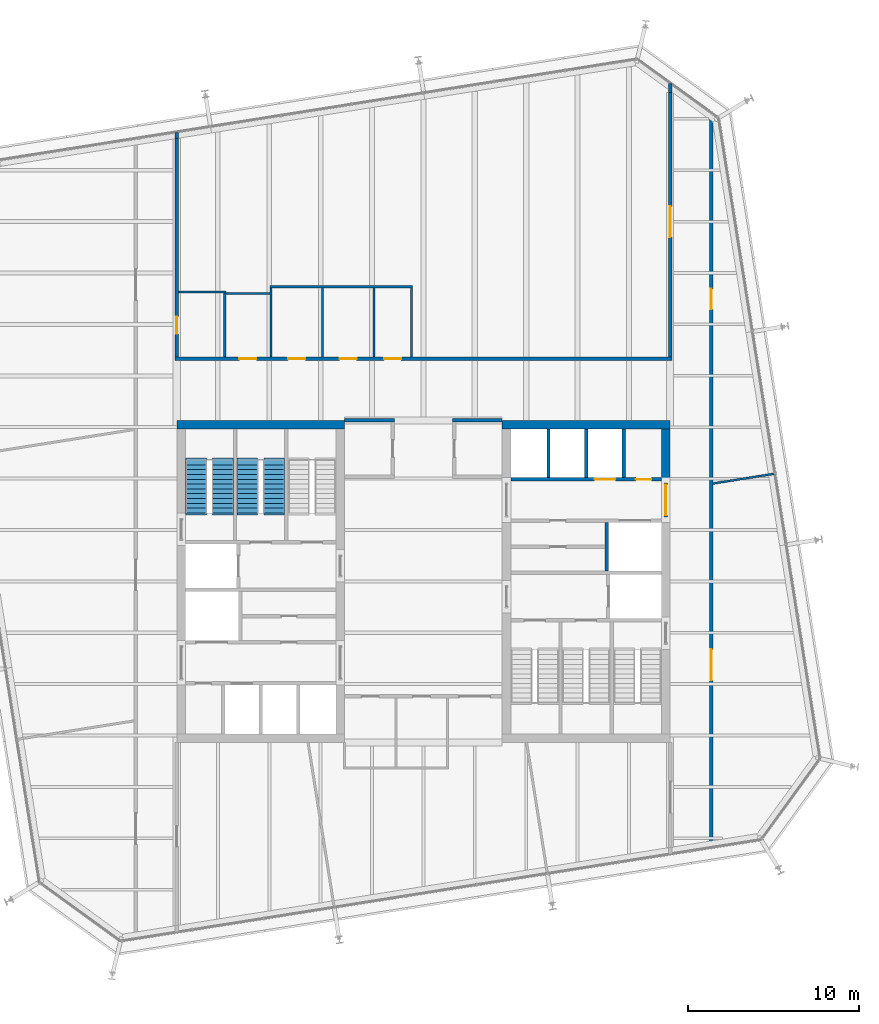
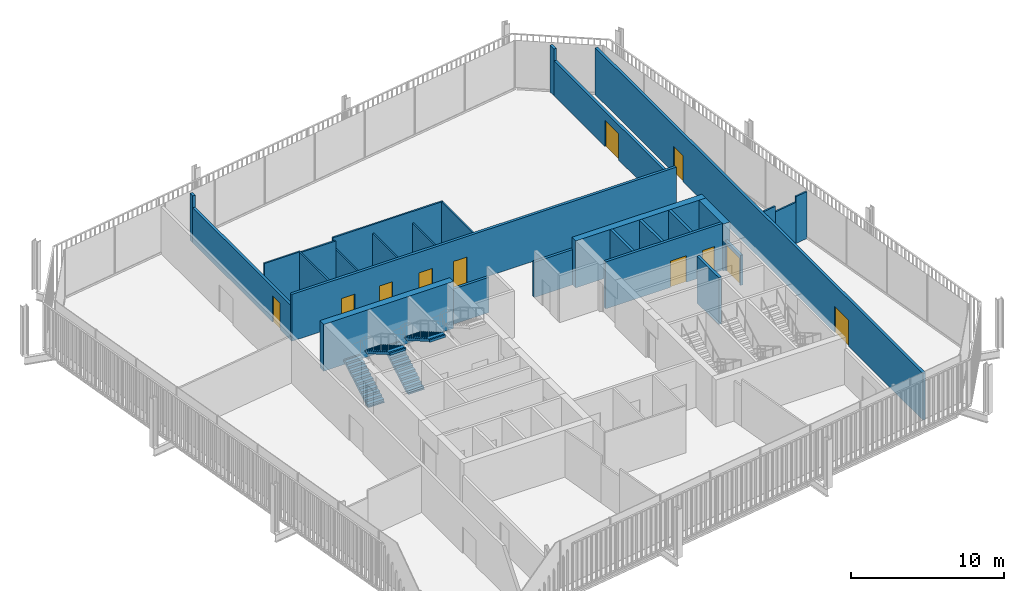
# One storey, part 18 of 20: 28 walls, 11 doors, 4 stair flights, 11 openings, 2 elements without a shape of their own.
"""IFC4 building model written with IfcOpenShell, lengths in metres."""

from ifc_helpers import new_model, si_unit, direction, frame, frame_2d, origin, place, context, subcontext, project, spatial, polyline, rectangle, outline, extrude, material, layer, layer_set, type_object, element, fill, aggregate, save


model = new_model("IFC4")

# Units and contexts
model_context = context("Model", 3, precision=1e-05, world=origin(), true_north=direction((0.0, 1.0)))
body_context = subcontext(model_context, "Body", "Model", "MODEL_VIEW")
ifc_project = project(units=[si_unit("LENGTHUNIT", "METRE"), si_unit("AREAUNIT", "SQUARE_METRE"), si_unit("VOLUMEUNIT", "CUBIC_METRE"), si_unit("PLANEANGLEUNIT", "RADIAN"), si_unit("MASSUNIT", "GRAM", prefix="KILO")], contexts=[model_context])

# Site, building, storey
site_placement = place(None, origin())
site = spatial("IfcSite", under=ifc_project, at=site_placement, CompositionType="ELEMENT")
building_placement = place(site_placement, origin())
building = spatial("IfcBuilding", under=site, at=building_placement, Name="Millrace Tower", CompositionType="ELEMENT")
storey_placement = place(building_placement, frame((0.0, 0.0, 259.10009765625)))
storey = spatial("IfcBuildingStorey", under=building, at=storey_placement, Name="L59", CompositionType="ELEMENT", Elevation=259.10009765625)

# Walls
ifc_material_1 = material(Name="Concrete C60", Category="concrete")
ifc_layer_1 = layer(ifc_material_1, 0.5)
ifc_layer_set_1 = layer_set([ifc_layer_1], Name="Concrete C60")
wall_type_1 = type_object("IfcWallType", Name="Core wall 500 Concrete C60", PredefinedType="SHEAR", material=ifc_layer_set_1)
for number, where, z_axis, x_axis, name in (
    (1, (-14.39990234375, 9.14990234375, 0.0), (0.0, 0.0, 1.0), (1.0, 0.0, 0.0), "Core wall W L59"),
    (2, (14.39990234375, 9.14990234375, 0.0), (0.0, 0.0, 1.0), (-1.0, 0.0, 0.0), "Core wall E L59"),
):
    element("IfcWall", number, at=place(storey_placement, frame(where, z_axis=z_axis, x_axis=x_axis)), inside=storey, type_object=wall_type_1, Name=name, PredefinedType="SHEAR", context=body_context, shape_type="SweptSolid", body=[
        extrude(rectangle(XDim=9.7998046875, YDim=0.5, at=frame_2d((4.89990234375, 0.0))), origin(), (0.0, 0.0, 1.0), 3.739990234375),
    ])
wall_1_placement = place(storey_placement, frame((14.14990234375, 8.89990234375, 0.0), z_axis=(0.0, 0.0, 1.0), x_axis=(0.0, -1.0, 0.0)))
element("IfcWall", 3, at=wall_1_placement, inside=storey, type_object=wall_type_1, Name="Core wall E L59", PredefinedType="SHEAR", context=body_context, shape_type="SweptSolid", body=[
    extrude(rectangle(XDim=3.14990234375, YDim=0.5, at=frame_2d((1.574951171875, 0.0))), origin(), (0.0, 0.0, 1.0), 3.739990234375),
])
ifc_material_2 = material(Name="Masonry partition, fire-rated", Category="masonry")
ifc_layer_2 = layer(ifc_material_2, 0.199951171875)
ifc_layer_set_2 = layer_set([ifc_layer_2], Name="Masonry partition, fire-rated")
wall_type_2 = type_object("IfcWallType", Name="Corridor wall 200", PredefinedType="PARTITIONING", material=ifc_layer_set_2)
for number, where, z_axis, x_axis, name in (
    (4, (-4.60009765625, 9.39990234375, 0.0), (0.0, 0.0, 1.0), (1.0, 0.0, 0.0), "Corridor wall L59"),
    (5, (1.699951171875, 9.39990234375, 0.0), (0.0, 0.0, 1.0), (1.0, 0.0, 0.0), "Corridor wall L59"),
):
    element("IfcWall", number, at=place(storey_placement, frame(where, z_axis=z_axis, x_axis=x_axis)), inside=storey, type_object=wall_type_2, Name=name, PredefinedType="PARTITIONING", context=body_context, shape_type="SweptSolid", body=[
        extrude(rectangle(XDim=2.900146484375, YDim=0.199951171875, at=frame_2d((1.4501953125, 0.0))), origin(), (0.0, 0.0, 1.0), 2.812744140625),
    ])

# Wall, openings, doors
wall_2_placement = place(storey_placement, frame((-14.5, 13.0, 0.0), z_axis=(0.0, 0.0, 1.0), x_axis=(1.0, 0.0, 0.0)))
wall_2 = element("IfcWall", 6, at=wall_2_placement, inside=storey, type_object=wall_type_2, Name="Corridor wall L59", PredefinedType="PARTITIONING", context=body_context, shape_type="SweptSolid", body=[
    extrude(rectangle(XDim=29.0, YDim=0.199951171875, at=frame_2d((14.5, 0.0))), origin(), (0.0, 0.0, 1.0), 3.739990234375),
])
opening_1_placement = place(wall_2_placement, frame((3.75, 0.0, 0.0)))
opening_1 = element("IfcOpeningElement", 7, at=opening_1_placement, cuts=wall_2, Name="Opening 59-P008", PredefinedType="OPENING", context=body_context, shape_type="SweptSolid", body=[
    extrude(rectangle(XDim=1.0, YDim=2.10009765625, at=frame_2d((0.5, 1.050048828125))), frame((0.0, 0.10986328125, 0.0), z_axis=(0.0, -1.0, 0.0), x_axis=(1.0, 0.0, 0.0)), (0.0, 0.0, 1.0), 0.219970703125),
])
opening_2_placement = place(wall_2_placement, frame((6.60009765625, 0.0, 0.0)))
opening_2 = element("IfcOpeningElement", 8, at=opening_2_placement, cuts=wall_2, Name="Opening 59-P016", PredefinedType="OPENING", context=body_context, shape_type="SweptSolid", body=[
    extrude(rectangle(XDim=1.0, YDim=2.10009765625, at=frame_2d((0.5, 1.050048828125))), frame((0.0, 0.10986328125, 0.0), z_axis=(0.0, -1.0, 0.0), x_axis=(1.0, 0.0, 0.0)), (0.0, 0.0, 1.0), 0.219970703125),
])
opening_3_placement = place(wall_2_placement, frame((9.60009765625, 0.0, 0.0)))
opening_3 = element("IfcOpeningElement", 9, at=opening_3_placement, cuts=wall_2, Name="Opening 59-P017", PredefinedType="OPENING", context=body_context, shape_type="SweptSolid", body=[
    extrude(rectangle(XDim=1.0, YDim=2.10009765625, at=frame_2d((0.5, 1.050048828125))), frame((0.0, 0.10986328125, 0.0), z_axis=(0.0, -1.0, 0.0), x_axis=(1.0, 0.0, 0.0)), (0.0, 0.0, 1.0), 0.219970703125),
])
opening_4_placement = place(wall_2_placement, frame((12.199951171875, 0.0, 0.0)))
opening_4 = element("IfcOpeningElement", 10, at=opening_4_placement, cuts=wall_2, Name="Opening 59-P018", PredefinedType="OPENING", context=body_context, shape_type="SweptSolid", body=[
    extrude(rectangle(XDim=1.0, YDim=2.10009765625, at=frame_2d((0.5, 1.050048828125))), frame((0.0, 0.10986328125, 0.0), z_axis=(0.0, -1.0, 0.0), x_axis=(1.0, 0.0, 0.0)), (0.0, 0.0, 1.0), 0.219970703125),
])
ifc_material_3 = material(Name="Steel door set, fire-rated", Category="steel")
door_type_1 = type_object("IfcDoorType", Name="Corridor door 1000 x 2100", OperationType="SINGLE_SWING_LEFT", PredefinedType="DOOR", material=ifc_material_3)
door_1_placement = place(opening_1_placement, origin())
door_1 = element("IfcDoor", 11, at=door_1_placement, inside=storey, type_object=door_type_1, Name="Door 59-P008", OperationType="SINGLE_SWING_LEFT", OverallHeight=2.10009765625, OverallWidth=1.0, PredefinedType="DOOR", context=body_context, shape_type="SweptSolid", body=[
    extrude(rectangle(XDim=1.0, YDim=2.10009765625, at=frame_2d((0.5, 1.050048828125))), frame((0.0, 0.02490234375, 0.0), z_axis=(0.0, -1.0, 0.0), x_axis=(1.0, 0.0, 0.0)), (0.0, 0.0, 1.0), 0.050048828125),
])
fill(opening_1, door_1)
door_2_placement = place(opening_2_placement, origin())
door_2 = element("IfcDoor", 12, at=door_2_placement, inside=storey, type_object=door_type_1, Name="Door 59-P016", OperationType="SINGLE_SWING_LEFT", OverallHeight=2.10009765625, OverallWidth=1.0, PredefinedType="DOOR", context=body_context, shape_type="SweptSolid", body=[
    extrude(rectangle(XDim=1.0, YDim=2.10009765625, at=frame_2d((0.5, 1.050048828125))), frame((0.0, 0.02490234375, 0.0), z_axis=(0.0, -1.0, 0.0), x_axis=(1.0, 0.0, 0.0)), (0.0, 0.0, 1.0), 0.050048828125),
])
fill(opening_2, door_2)
door_3_placement = place(opening_3_placement, origin())
door_3 = element("IfcDoor", 13, at=door_3_placement, inside=storey, type_object=door_type_1, Name="Door 59-P017", OperationType="SINGLE_SWING_LEFT", OverallHeight=2.10009765625, OverallWidth=1.0, PredefinedType="DOOR", context=body_context, shape_type="SweptSolid", body=[
    extrude(rectangle(XDim=1.0, YDim=2.10009765625, at=frame_2d((0.5, 1.050048828125))), frame((0.0, 0.02490234375, 0.0), z_axis=(0.0, -1.0, 0.0), x_axis=(1.0, 0.0, 0.0)), (0.0, 0.0, 1.0), 0.050048828125),
])
fill(opening_3, door_3)
door_4_placement = place(opening_4_placement, origin())
door_4 = element("IfcDoor", 14, at=door_4_placement, inside=storey, type_object=door_type_1, Name="Door 59-P018", OperationType="SINGLE_SWING_LEFT", OverallHeight=2.10009765625, OverallWidth=1.0, PredefinedType="DOOR", context=body_context, shape_type="SweptSolid", body=[
    extrude(rectangle(XDim=1.0, YDim=2.10009765625, at=frame_2d((0.5, 1.050048828125))), frame((0.0, 0.02490234375, 0.0), z_axis=(0.0, -1.0, 0.0), x_axis=(1.0, 0.0, 0.0)), (0.0, 0.0, 1.0), 0.050048828125),
])
fill(opening_4, door_4)

wall_3_placement = place(storey_placement, frame((16.800048828125, -15.494384765625, 0.0), z_axis=(0.0, 0.0, 1.0), x_axis=(0.0, 1.0, 0.0)))
wall_3 = element("IfcWall", 15, at=wall_3_placement, inside=storey, type_object=wall_type_2, Name="Corridor wall L59", PredefinedType="PARTITIONING", context=body_context, shape_type="SweptSolid", body=[
    extrude(rectangle(XDim=42.80859375, YDim=0.199951171875, at=frame_2d((21.404296875, 0.0))), origin(), (0.0, 0.0, 1.0), 3.739990234375),
])
opening_5_placement = place(wall_3_placement, frame((9.720458984375, 0.0, 0.0)))
opening_5 = element("IfcOpeningElement", 16, at=opening_5_placement, cuts=wall_3, Name="Opening 59-P009", PredefinedType="OPENING", context=body_context, shape_type="SweptSolid", body=[
    extrude(rectangle(XDim=1.800048828125, YDim=2.10009765625, at=frame_2d((0.89990234375, 1.050048828125))), frame((0.0, 0.10986328125, 0.0), z_axis=(0.0, -1.0, 0.0), x_axis=(1.0, 0.0, 0.0)), (0.0, 0.0, 1.0), 0.219970703125),
])
opening_6_placement = place(wall_3_placement, frame((31.368408203125, 0.0, 0.0)))
opening_6 = element("IfcOpeningElement", 17, at=opening_6_placement, cuts=wall_3, Name="Opening 59-P010", PredefinedType="OPENING", context=body_context, shape_type="SweptSolid", body=[
    extrude(rectangle(XDim=1.199951171875, YDim=2.10009765625, at=frame_2d((0.60009765625, 1.050048828125))), frame((0.0, 0.10986328125, 0.0), z_axis=(0.0, -1.0, 0.0), x_axis=(1.0, 0.0, 0.0)), (0.0, 0.0, 1.0), 0.219970703125),
])
ifc_material_4 = material(Name="Steel door set, fire-rated", Category="steel")
door_type_2 = type_object("IfcDoorType", Name="Corridor door 1200 x 2100", OperationType="SINGLE_SWING_LEFT", PredefinedType="DOOR", material=ifc_material_4)
door_5_placement = place(opening_6_placement, origin())
door_5 = element("IfcDoor", 18, at=door_5_placement, inside=storey, type_object=door_type_2, Name="Door 59-P010", OperationType="SINGLE_SWING_RIGHT", OverallHeight=2.10009765625, OverallWidth=1.199951171875, PredefinedType="DOOR", context=body_context, shape_type="SweptSolid", body=[
    extrude(rectangle(XDim=1.199951171875, YDim=2.10009765625, at=frame_2d((0.60009765625, 1.050048828125))), frame((0.0, 0.02490234375, 0.0), z_axis=(0.0, -1.0, 0.0), x_axis=(1.0, 0.0, 0.0)), (0.0, 0.0, 1.0), 0.050048828125),
])
fill(opening_6, door_5)
ifc_material_5 = material(Name="Steel door set, fire-rated", Category="steel")
door_type_3 = type_object("IfcDoorType", Name="Corridor door 1800 x 2100", OperationType="DOUBLE_DOOR_SINGLE_SWING", PredefinedType="DOOR", material=ifc_material_5)
door_6_placement = place(opening_5_placement, frame((1.800048828125, 0.0, 0.0), z_axis=(0.0, 0.0, 1.0), x_axis=(-1.0, 0.0, 0.0)))
door_6 = element("IfcDoor", 19, at=door_6_placement, inside=storey, type_object=door_type_3, Name="Door 59-P009", OperationType="DOUBLE_DOOR_SINGLE_SWING", OverallHeight=2.10009765625, OverallWidth=1.800048828125, PredefinedType="DOOR", context=body_context, shape_type="SweptSolid", body=[
    extrude(rectangle(XDim=1.800048828125, YDim=2.10009765625, at=frame_2d((0.89990234375, 1.050048828125))), frame((0.0, 0.02490234375, 0.0), z_axis=(0.0, -1.0, 0.0), x_axis=(1.0, 0.0, 0.0)), (0.0, 0.0, 1.0), 0.050048828125),
])
fill(opening_5, door_6)

# Wall, opening, door
wall_4_placement = place(storey_placement, frame((14.39990234375, 13.10009765625, 0.0), z_axis=(0.0, 0.0, 1.0), x_axis=(0.0, 1.0, 0.0)))
wall_4 = element("IfcWall", 20, at=wall_4_placement, inside=storey, type_object=wall_type_2, Name="Corridor wall L59", PredefinedType="PARTITIONING", context=body_context, shape_type="SweptSolid", body=[
    extrude(rectangle(XDim=15.440673828125, YDim=0.199951171875, at=frame_2d((7.72021484375, 0.0))), origin(), (0.0, 0.0, 1.0), 2.79248046875),
])
opening_7_placement = place(wall_4_placement, frame((6.998046875, 0.0, 0.0)))
opening_7 = element("IfcOpeningElement", 21, at=opening_7_placement, cuts=wall_4, Name="Opening 59-P006", PredefinedType="OPENING", context=body_context, shape_type="SweptSolid", body=[
    extrude(rectangle(XDim=1.800048828125, YDim=2.10009765625, at=frame_2d((0.89990234375, 1.050048828125))), frame((0.0, 0.10986328125, 0.0), z_axis=(0.0, -1.0, 0.0), x_axis=(1.0, 0.0, 0.0)), (0.0, 0.0, 1.0), 0.219970703125),
])
door_7_placement = place(opening_7_placement, frame((1.800048828125, 0.0, 0.0), z_axis=(0.0, 0.0, 1.0), x_axis=(-1.0, 0.0, 0.0)))
door_7 = element("IfcDoor", 22, at=door_7_placement, inside=storey, type_object=door_type_3, Name="Door 59-P006", OperationType="DOUBLE_DOOR_SINGLE_SWING", OverallHeight=2.10009765625, OverallWidth=1.800048828125, PredefinedType="DOOR", context=body_context, shape_type="SweptSolid", body=[
    extrude(rectangle(XDim=1.800048828125, YDim=2.10009765625, at=frame_2d((0.89990234375, 1.050048828125))), frame((0.0, 0.02490234375, 0.0), z_axis=(0.0, -1.0, 0.0), x_axis=(1.0, 0.0, 0.0)), (0.0, 0.0, 1.0), 0.050048828125),
])
fill(opening_7, door_7)

# Wall
wall_5_placement = place(storey_placement, frame((14.39990234375, 28.540771484375, 0.0), z_axis=(0.0, 0.0, 1.0), x_axis=(0.0, 1.0, 0.0)))
element("IfcWall", 23, at=wall_5_placement, inside=storey, type_object=wall_type_2, Name="Corridor wall L59", PredefinedType="PARTITIONING", context=body_context, shape_type="SweptSolid", body=[
    extrude(rectangle(XDim=0.51708984375, YDim=0.199951171875, at=frame_2d((0.258544921875, 0.0))), origin(), (0.0, 0.0, 1.0), 3.739990234375),
])

# Wall, opening, door
wall_6_placement = place(storey_placement, frame((-14.39990234375, 13.10009765625, 0.0), z_axis=(0.0, 0.0, 1.0), x_axis=(0.0, 1.0, 0.0)))
wall_6 = element("IfcWall", 24, at=wall_6_placement, inside=storey, type_object=wall_type_2, Name="Corridor wall L59", PredefinedType="PARTITIONING", context=body_context, shape_type="SweptSolid", body=[
    extrude(rectangle(XDim=12.74853515625, YDim=0.199951171875, at=frame_2d((6.374267578125, 0.0))), origin(), (0.0, 0.0, 1.0), 2.79248046875),
])
opening_8_placement = place(wall_6_placement, frame((1.35009765625, 0.0, 0.0)))
opening_8 = element("IfcOpeningElement", 25, at=opening_8_placement, cuts=wall_6, Name="Opening 59-P007", PredefinedType="OPENING", context=body_context, shape_type="SweptSolid", body=[
    extrude(rectangle(XDim=1.0, YDim=2.10009765625, at=frame_2d((0.5, 1.050048828125))), frame((0.0, 0.10986328125, 0.0), z_axis=(0.0, -1.0, 0.0), x_axis=(1.0, 0.0, 0.0)), (0.0, 0.0, 1.0), 0.219970703125),
])
door_8_placement = place(opening_8_placement, frame((1.0, 0.0, 0.0), z_axis=(0.0, 0.0, 1.0), x_axis=(-1.0, 0.0, 0.0)))
door_8 = element("IfcDoor", 26, at=door_8_placement, inside=storey, type_object=door_type_1, Name="Door 59-P007", OperationType="SINGLE_SWING_RIGHT", OverallHeight=2.10009765625, OverallWidth=1.0, PredefinedType="DOOR", context=body_context, shape_type="SweptSolid", body=[
    extrude(rectangle(XDim=1.0, YDim=2.10009765625, at=frame_2d((0.5, 1.050048828125))), frame((0.0, 0.02490234375, 0.0), z_axis=(0.0, -1.0, 0.0), x_axis=(1.0, 0.0, 0.0)), (0.0, 0.0, 1.0), 0.050048828125),
])
fill(opening_8, door_8)

# Wall
wall_7_placement = place(storey_placement, frame((-14.39990234375, 25.8486328125, 0.0), z_axis=(0.0, 0.0, 1.0), x_axis=(0.0, 1.0, 0.0)))
element("IfcWall", 27, at=wall_7_placement, inside=storey, type_object=wall_type_2, Name="Corridor wall L59", PredefinedType="PARTITIONING", context=body_context, shape_type="SweptSolid", body=[
    extrude(rectangle(XDim=0.349609375, YDim=0.199951171875, at=frame_2d((0.1748046875, 0.0))), origin(), (0.0, 0.0, 1.0), 3.739990234375),
])

# Wall, openings, doors
ifc_material_6 = material(Name="Masonry partition, fire-rated", Category="masonry")
ifc_layer_3 = layer(ifc_material_6, 0.199951171875)
ifc_layer_set_3 = layer_set([ifc_layer_3], Name="Masonry partition, fire-rated")
wall_type_3 = type_object("IfcWallType", Name="Lift shaft wall 200", PredefinedType="PARTITIONING", material=ifc_layer_set_3)
wall_8_placement = place(storey_placement, frame((13.89990234375, 5.949951171875, 0.0), z_axis=(0.0, 0.0, 1.0), x_axis=(-1.0, 0.0, 0.0)))
wall_8 = element("IfcWall", 28, at=wall_8_placement, inside=storey, type_object=wall_type_3, Name="Lift shaft wall E L59", PredefinedType="PARTITIONING", context=body_context, shape_type="SweptSolid", body=[
    extrude(rectangle(XDim=8.7998046875, YDim=0.199951171875, at=frame_2d((4.39990234375, 0.0))), origin(), (0.0, 0.0, 1.0), 3.739990234375),
])
opening_9_placement = place(wall_8_placement, frame((2.699951171875, 0.0, 0.0)))
opening_9 = element("IfcOpeningElement", 29, at=opening_9_placement, cuts=wall_8, Name="Opening 59-LD10", PredefinedType="OPENING", context=body_context, shape_type="SweptSolid", body=[
    extrude(rectangle(XDim=1.199951171875, YDim=2.10009765625, at=frame_2d((0.60009765625, 1.050048828125))), frame((0.0, 0.10986328125, 0.0), z_axis=(0.0, -1.0, 0.0), x_axis=(1.0, 0.0, 0.0)), (0.0, 0.0, 1.0), 0.219970703125),
])
opening_10_placement = place(wall_8_placement, frame((0.60009765625, 0.0, 0.0)))
opening_10 = element("IfcOpeningElement", 30, at=opening_10_placement, cuts=wall_8, Name="Opening 59-C014", PredefinedType="OPENING", context=body_context, shape_type="SweptSolid", body=[
    extrude(rectangle(XDim=0.89990234375, YDim=2.10009765625, at=frame_2d((0.449951171875, 1.050048828125))), frame((0.0, 0.10986328125, 0.0), z_axis=(0.0, -1.0, 0.0), x_axis=(1.0, 0.0, 0.0)), (0.0, 0.0, 1.0), 0.219970703125),
])
ifc_material_7 = material(Name="Stainless steel, fire-rated", Category="steel")
door_type_4 = type_object("IfcDoorType", Name="Lift landing door 1200 x 2100", OperationType="DOUBLE_DOOR_SLIDING", PredefinedType="DOOR", material=ifc_material_7)
door_9_placement = place(opening_9_placement, origin())
door_9 = element("IfcDoor", 31, at=door_9_placement, inside=storey, type_object=door_type_4, Name="Lift landing door LF10 L59", OperationType="DOUBLE_DOOR_SLIDING", OverallHeight=2.10009765625, OverallWidth=1.199951171875, PredefinedType="DOOR", context=body_context, shape_type="SweptSolid", body=[
    extrude(rectangle(XDim=1.199951171875, YDim=2.10009765625, at=frame_2d((0.60009765625, 1.050048828125))), frame((0.0, 0.02490234375, 0.0), z_axis=(0.0, -1.0, 0.0), x_axis=(1.0, 0.0, 0.0)), (0.0, 0.0, 1.0), 0.050048828125),
])
fill(opening_9, door_9)
ifc_material_8 = material(Name="Steel door, fire-rated", Category="steel")
door_type_5 = type_object("IfcDoorType", Name="Service room door 900 x 2100", OperationType="SINGLE_SWING_LEFT", PredefinedType="DOOR", material=ifc_material_8)
door_10_placement = place(opening_10_placement, frame((0.89990234375, 0.0, 0.0), z_axis=(0.0, 0.0, 1.0), x_axis=(-1.0, 0.0, 0.0)))
door_10 = element("IfcDoor", 32, at=door_10_placement, inside=storey, type_object=door_type_5, Name="Service room door 59-C014", OperationType="SINGLE_SWING_RIGHT", OverallHeight=2.10009765625, OverallWidth=0.89990234375, PredefinedType="DOOR", context=body_context, shape_type="SweptSolid", body=[
    extrude(rectangle(XDim=0.89990234375, YDim=2.10009765625, at=frame_2d((0.449951171875, 1.050048828125))), frame((0.0, 0.02490234375, 0.0), z_axis=(0.0, -1.0, 0.0), x_axis=(1.0, 0.0, 0.0)), (0.0, 0.0, 1.0), 0.050048828125),
])
fill(opening_10, door_10)

# Walls
for number, where, z_axis, x_axis, name in (
    (33, (11.699951171875, 8.89990234375, 0.0), (0.0, 0.0, 1.0), (0.0, -1.0, 0.0), "Lift shaft wall E L59"),
    (34, (9.5, 8.89990234375, 0.0), (0.0, 0.0, 1.0), (0.0, -1.0, 0.0), "Lift shaft wall E L59"),
    (35, (7.300048828125, 8.89990234375, 0.0), (0.0, 0.0, 1.0), (0.0, -1.0, 0.0), "Lift shaft wall E L59"),
    (36, (10.699951171875, 3.449951171875, 0.0), (0.0, 0.0, 1.0), (0.0, -1.0, 0.0), "Lift shaft wall E L59"),
):
    element("IfcWall", number, at=place(storey_placement, frame(where, z_axis=z_axis, x_axis=x_axis)), inside=storey, type_object=wall_type_3, Name=name, PredefinedType="PARTITIONING", context=body_context, shape_type="SweptSolid", body=[
        extrude(rectangle(XDim=2.849853515625, YDim=0.199951171875, at=frame_2d((1.4248046875, 0.0))), origin(), (0.0, 0.0, 1.0), 3.739990234375),
    ])

# Wall, opening, door
ifc_material_9 = material(Name="Masonry partition, fire-rated", Category="masonry")
ifc_layer_4 = layer(ifc_material_9, 0.199951171875)
ifc_layer_set_4 = layer_set([ifc_layer_4], Name="Masonry partition, fire-rated")
wall_type_4 = type_object("IfcWallType", Name="Lobby wall 200", PredefinedType="PARTITIONING", material=ifc_layer_set_4)
wall_9_placement = place(storey_placement, frame((14.14990234375, 5.75, 0.0), z_axis=(0.0, 0.0, 1.0), x_axis=(0.0, -1.0, 0.0)))
wall_9 = element("IfcWall", 37, at=wall_9_placement, inside=storey, type_object=wall_type_4, Name="Lobby wall E L59", PredefinedType="PARTITIONING", context=body_context, shape_type="SweptSolid", body=[
    extrude(rectangle(XDim=2.0, YDim=0.199951171875, at=frame_2d((1.0, 0.0))), origin(), (0.0, 0.0, 1.0), 2.39990234375),
])
opening_11_placement = place(wall_9_placement, frame((0.10009765625, 0.0, 0.0)))
opening_11 = element("IfcOpeningElement", 38, at=opening_11_placement, cuts=wall_9, Name="Opening 59-C010", PredefinedType="OPENING", context=body_context, shape_type="SweptSolid", body=[
    extrude(rectangle(XDim=1.800048828125, YDim=2.10009765625, at=frame_2d((0.89990234375, 1.050048828125))), frame((0.0, 0.10986328125, 0.0), z_axis=(0.0, -1.0, 0.0), x_axis=(1.0, 0.0, 0.0)), (0.0, 0.0, 1.0), 0.219970703125),
])
ifc_material_10 = material(Name="Steel door, fire-rated", Category="steel")
door_type_6 = type_object("IfcDoorType", Name="Lobby door 1800 x 2100", OperationType="DOUBLE_DOOR_SINGLE_SWING", PredefinedType="DOOR", material=ifc_material_10)
door_11_placement = place(opening_11_placement, origin())
door_11 = element("IfcDoor", 39, at=door_11_placement, inside=storey, type_object=door_type_6, Name="Lobby door 59-C010", OperationType="DOUBLE_DOOR_SINGLE_SWING", OverallHeight=2.10009765625, OverallWidth=1.800048828125, PredefinedType="DOOR", context=body_context, shape_type="SweptSolid", body=[
    extrude(rectangle(XDim=1.800048828125, YDim=2.10009765625, at=frame_2d((0.89990234375, 1.050048828125))), frame((0.0, 0.02490234375, 0.0), z_axis=(0.0, -1.0, 0.0), x_axis=(1.0, 0.0, 0.0)), (0.0, 0.0, 1.0), 0.050048828125),
])
fill(opening_11, door_11)

# Walls
ifc_material_11 = material(Name="Gypsum board partition")
ifc_layer_5 = layer(ifc_material_11, 0.1201171875)
ifc_layer_set_5 = layer_set([ifc_layer_5], Name="Gypsum board partition")
wall_type_5 = type_object("IfcWallType", Name="Partition wall 120", PredefinedType="PARTITIONING", material=ifc_layer_set_5)
wall_10_placement = place(storey_placement, frame((-11.5400390625, 16.800048828125, 0.0), z_axis=(0.0, 0.0, 1.0), x_axis=(1.0, 0.0, 0.0)))
element("IfcWall", 40, at=wall_10_placement, inside=storey, type_object=wall_type_5, Name="Partition wall L59", PredefinedType="PARTITIONING", context=body_context, shape_type="SweptSolid", body=[
    extrude(rectangle(XDim=2.580078125, YDim=0.1201171875, at=frame_2d((1.2900390625, 0.0))), origin(), (0.0, 0.0, 1.0), 3.739990234375),
])
wall_11_placement = place(storey_placement, frame((-14.300048828125, 16.89990234375, 0.0), z_axis=(0.0, 0.0, 1.0), x_axis=(1.0, 0.0, 0.0)))
element("IfcWall", 41, at=wall_11_placement, inside=storey, type_object=wall_type_5, Name="Partition wall L59", PredefinedType="PARTITIONING", context=body_context, shape_type="SweptSolid", body=[
    extrude(rectangle(XDim=2.760009765625, YDim=0.1201171875, at=frame_2d((1.3798828125, 0.0))), origin(), (0.0, 0.0, 1.0), 3.739990234375),
])
wall_12_placement = place(storey_placement, frame((-8.9599609375, 17.199951171875, 0.0), z_axis=(0.0, 0.0, 1.0), x_axis=(1.0, 0.0, 0.0)))
element("IfcWall", 42, at=wall_12_placement, inside=storey, type_object=wall_type_5, Name="Partition wall L59", PredefinedType="PARTITIONING", context=body_context, shape_type="SweptSolid", body=[
    extrude(rectangle(XDim=8.320068359375, YDim=0.1201171875, at=frame_2d((4.16015625, 0.0))), origin(), (0.0, 0.0, 1.0), 3.739990234375),
])
wall_13_placement = place(storey_placement, frame((16.898681640625, 5.711669921875, 0.0), z_axis=(0.0, 0.0, 1.0), x_axis=(0.987667470329, 0.156566177874, 0.0)))
element("IfcWall", 43, at=wall_13_placement, inside=storey, type_object=wall_type_5, Name="Partition wall L59", PredefinedType="PARTITIONING", context=body_context, shape_type="SweptSolid", body=[
    extrude(rectangle(XDim=0.97607421875, YDim=0.1201171875, at=frame_2d((0.488037109375, 0.0))), origin(), (0.0, 0.0, 1.0), 3.739990234375),
])
wall_14_placement = place(storey_placement, frame((17.86279296875, 5.864501953125, 0.0), z_axis=(0.0, 0.0, 1.0), x_axis=(0.987652864961, 0.15665828524, 0.0)))
element("IfcWall", 44, at=wall_14_placement, inside=storey, type_object=wall_type_5, Name="Partition wall L59", PredefinedType="PARTITIONING", context=body_context, shape_type="SweptSolid", body=[
    extrude(rectangle(XDim=1.729736328125, YDim=0.1201171875, at=frame_2d((0.86474609375, 0.0))), origin(), (0.0, 0.0, 1.0), 3.290283203125),
])
wall_15_placement = place(storey_placement, frame((19.5712890625, 6.135498046875, 0.0), z_axis=(0.0, 0.0, 1.0), x_axis=(0.987654540573, 0.156647720972, 0.0)))
element("IfcWall", 45, at=wall_15_placement, inside=storey, type_object=wall_type_5, Name="Partition wall L59", PredefinedType="PARTITIONING", context=body_context, shape_type="SweptSolid", body=[
    extrude(rectangle(XDim=0.914794921875, YDim=0.1201171875, at=frame_2d((0.45751953125, 0.0))), origin(), (0.0, 0.0, 1.0), 3.739990234375),
])
wall_16_placement = place(storey_placement, frame((-0.699951171875, 13.10009765625, 0.0), z_axis=(0.0, 0.0, 1.0), x_axis=(0.0, 1.0, 0.0)))
element("IfcWall", 46, at=wall_16_placement, inside=storey, type_object=wall_type_5, Name="Partition wall L59", PredefinedType="PARTITIONING", context=body_context, shape_type="SweptSolid", body=[
    extrude(rectangle(XDim=4.039794921875, YDim=0.1201171875, at=frame_2d((2.02001953125, 0.0))), origin(), (0.0, 0.0, 1.0), 3.739990234375),
])
wall_17_placement = place(storey_placement, frame((-2.89990234375, 13.10009765625, 0.0), z_axis=(0.0, 0.0, 1.0), x_axis=(0.0, 1.0, 0.0)))
element("IfcWall", 47, at=wall_17_placement, inside=storey, type_object=wall_type_5, Name="Partition wall L59", PredefinedType="PARTITIONING", context=body_context, shape_type="SweptSolid", body=[
    extrude(rectangle(XDim=4.039794921875, YDim=0.1201171875, at=frame_2d((2.02001953125, 0.0))), origin(), (0.0, 0.0, 1.0), 2.812744140625),
])
for number, where, z_axis, x_axis, name in (
    (48, (-5.89990234375, 13.10009765625, 0.0), (0.0, 0.0, 1.0), (0.0, 1.0, 0.0), "Partition wall L59"),
    (49, (-8.89990234375, 13.10009765625, 0.0), (0.0, 0.0, 1.0), (0.0, 1.0, 0.0), "Partition wall L59"),
):
    element("IfcWall", number, at=place(storey_placement, frame(where, z_axis=z_axis, x_axis=x_axis)), inside=storey, type_object=wall_type_5, Name=name, PredefinedType="PARTITIONING", context=body_context, shape_type="SweptSolid", body=[
        extrude(rectangle(XDim=4.039794921875, YDim=0.1201171875, at=frame_2d((2.02001953125, 0.0))), origin(), (0.0, 0.0, 1.0), 3.04638671875),
    ])
wall_18_placement = place(storey_placement, frame((-11.60009765625, 13.10009765625, 0.0), z_axis=(0.0, 0.0, 1.0), x_axis=(0.0, 1.0, 0.0)))
element("IfcWall", 50, at=wall_18_placement, inside=storey, type_object=wall_type_5, Name="Partition wall L59", PredefinedType="PARTITIONING", context=body_context, shape_type="SweptSolid", body=[
    extrude(rectangle(XDim=3.739990234375, YDim=0.1201171875, at=frame_2d((1.8701171875, 0.0))), origin(), (0.0, 0.0, 1.0), 3.739990234375),
])

# Stair, stair flights
ifc_material_12 = material(Name="Concrete C35", Category="concrete")
stair_type = type_object("IfcStairType", Name="Exit stair", PredefinedType="HALF_TURN_STAIR", material=ifc_material_12)
placement = place(storey_placement, origin())
stair_1 = element("IfcStair", 51, at=placement, inside=storey, type_object=stair_type, Name="Stair 1 W L59", PredefinedType="HALF_TURN_STAIR")
ifc_material_13 = material(Name="Concrete C35", Category="concrete")
stair_flight_type = type_object("IfcStairFlightType", Name="Exit stair flight", PredefinedType="STRAIGHT", material=ifc_material_13)
stair_flight_1_placement = place(storey_placement, frame((-13.2900390625, 4.0, 0.0), z_axis=(0.0, 0.0, 1.0), x_axis=(0.0, 1.0, 0.0)))
stair_flight_1 = element("IfcStairFlight", 52, at=stair_flight_1_placement, type_object=stair_flight_type, Name="ST12 flight 1", NumberOfRisers=12, NumberOfTreads=11, PredefinedType="STRAIGHT", RiserHeight=0.1625, TreadLength=0.28, context=body_context, shape_type="SweptSolid", body=[
    extrude(outline(polyline([(-0.1201171875, -0.0400390625), (-0.1201171875, 0.0), (0.0, 0.0), (0.0, 0.16259765625), (0.280029296875, 0.16259765625), (0.280029296875, 0.324951171875), (0.56005859375, 0.324951171875), (0.56005859375, 0.487548828125), (0.840087890625, 0.487548828125), (0.840087890625, 0.64990234375), (1.1201171875, 0.64990234375), (1.1201171875, 0.8125), (1.39990234375, 0.8125), (1.39990234375, 0.97509765625), (1.679931640625, 0.97509765625), (1.679931640625, 1.137451171875), (1.9599609375, 1.137451171875), (1.9599609375, 1.300048828125), (2.239990234375, 1.300048828125), (2.239990234375, 1.46240234375), (2.52001953125, 1.46240234375), (2.52001953125, 1.625), (2.800048828125, 1.625), (2.800048828125, 1.78759765625), (3.080078125, 1.78759765625), (3.080078125, 1.8076171875), (3.199951171875, 1.8076171875), (3.199951171875, 1.6142578125), (3.080078125, 1.6142578125), (0.298583984375, 0.0), (0.298583984375, -0.0400390625), (-0.1201171875, -0.0400390625)])), frame((0.0, 0.60986328125, 0.0), z_axis=(0.0, -1.0, 0.0), x_axis=(1.0, 0.0, 0.0)), (0.0, 0.0, 1.0), 1.219970703125),
])
stair_flight_2_placement = place(storey_placement, frame((-11.7099609375, 7.080078125, 1.949951171875), z_axis=(0.0, 0.0, 1.0), x_axis=(0.0, -1.0, 0.0)))
stair_flight_2 = element("IfcStairFlight", 53, at=stair_flight_2_placement, type_object=stair_flight_type, Name="ST12 flight 2", NumberOfRisers=12, NumberOfTreads=11, PredefinedType="STRAIGHT", RiserHeight=0.1625, TreadLength=0.28, context=body_context, shape_type="SweptSolid", body=[
    extrude(outline(polyline([(-0.1201171875, -0.0400390625), (-0.1201171875, 0.0), (0.0, 0.0), (0.0, 0.16259765625), (0.280029296875, 0.16259765625), (0.280029296875, 0.324951171875), (0.56005859375, 0.324951171875), (0.56005859375, 0.487548828125), (0.840087890625, 0.487548828125), (0.840087890625, 0.64990234375), (1.1201171875, 0.64990234375), (1.1201171875, 0.8125), (1.39990234375, 0.8125), (1.39990234375, 0.97509765625), (1.679931640625, 0.97509765625), (1.679931640625, 1.137451171875), (1.9599609375, 1.137451171875), (1.9599609375, 1.300048828125), (2.239990234375, 1.300048828125), (2.239990234375, 1.46240234375), (2.52001953125, 1.46240234375), (2.52001953125, 1.625), (2.800048828125, 1.625), (2.800048828125, 1.78759765625), (3.080078125, 1.78759765625), (3.080078125, 1.8076171875), (3.199951171875, 1.8076171875), (3.199951171875, 1.6142578125), (3.080078125, 1.6142578125), (0.298583984375, 0.0), (0.298583984375, -0.0400390625), (-0.1201171875, -0.0400390625)])), frame((0.0, 0.60986328125, 0.0), z_axis=(0.0, -1.0, 0.0), x_axis=(1.0, 0.0, 0.0)), (0.0, 0.0, 1.0), 1.219970703125),
])
aggregate(stair_1, [stair_flight_1, stair_flight_2])

stair_2 = element("IfcStair", 54, at=placement, inside=storey, type_object=stair_type, Name="Stair 2 W L59", PredefinedType="HALF_TURN_STAIR")
stair_flight_3_placement = place(storey_placement, frame((-10.2900390625, 4.0, 0.0), z_axis=(0.0, 0.0, 1.0), x_axis=(0.0, 1.0, 0.0)))
stair_flight_3 = element("IfcStairFlight", 55, at=stair_flight_3_placement, type_object=stair_flight_type, Name="ST12 flight 1", NumberOfRisers=12, NumberOfTreads=11, PredefinedType="STRAIGHT", RiserHeight=0.1625, TreadLength=0.28, context=body_context, shape_type="SweptSolid", body=[
    extrude(outline(polyline([(-0.1201171875, -0.0400390625), (-0.1201171875, 0.0), (0.0, 0.0), (0.0, 0.16259765625), (0.280029296875, 0.16259765625), (0.280029296875, 0.324951171875), (0.56005859375, 0.324951171875), (0.56005859375, 0.487548828125), (0.840087890625, 0.487548828125), (0.840087890625, 0.64990234375), (1.1201171875, 0.64990234375), (1.1201171875, 0.8125), (1.39990234375, 0.8125), (1.39990234375, 0.97509765625), (1.679931640625, 0.97509765625), (1.679931640625, 1.137451171875), (1.9599609375, 1.137451171875), (1.9599609375, 1.300048828125), (2.239990234375, 1.300048828125), (2.239990234375, 1.46240234375), (2.52001953125, 1.46240234375), (2.52001953125, 1.625), (2.800048828125, 1.625), (2.800048828125, 1.78759765625), (3.080078125, 1.78759765625), (3.080078125, 1.8076171875), (3.199951171875, 1.8076171875), (3.199951171875, 1.6142578125), (3.080078125, 1.6142578125), (0.298583984375, 0.0), (0.298583984375, -0.0400390625), (-0.1201171875, -0.0400390625)])), frame((0.0, 0.60986328125, 0.0), z_axis=(0.0, -1.0, 0.0), x_axis=(1.0, 0.0, 0.0)), (0.0, 0.0, 1.0), 1.219970703125),
])
stair_flight_4_placement = place(storey_placement, frame((-8.7099609375, 7.080078125, 1.949951171875), z_axis=(0.0, 0.0, 1.0), x_axis=(0.0, -1.0, 0.0)))
stair_flight_4 = element("IfcStairFlight", 56, at=stair_flight_4_placement, type_object=stair_flight_type, Name="ST12 flight 2", NumberOfRisers=12, NumberOfTreads=11, PredefinedType="STRAIGHT", RiserHeight=0.1625, TreadLength=0.28, context=body_context, shape_type="SweptSolid", body=[
    extrude(outline(polyline([(-0.1201171875, -0.0400390625), (-0.1201171875, 0.0), (0.0, 0.0), (0.0, 0.16259765625), (0.280029296875, 0.16259765625), (0.280029296875, 0.324951171875), (0.56005859375, 0.324951171875), (0.56005859375, 0.487548828125), (0.840087890625, 0.487548828125), (0.840087890625, 0.64990234375), (1.1201171875, 0.64990234375), (1.1201171875, 0.8125), (1.39990234375, 0.8125), (1.39990234375, 0.97509765625), (1.679931640625, 0.97509765625), (1.679931640625, 1.137451171875), (1.9599609375, 1.137451171875), (1.9599609375, 1.300048828125), (2.239990234375, 1.300048828125), (2.239990234375, 1.46240234375), (2.52001953125, 1.46240234375), (2.52001953125, 1.625), (2.800048828125, 1.625), (2.800048828125, 1.78759765625), (3.080078125, 1.78759765625), (3.080078125, 1.8076171875), (3.199951171875, 1.8076171875), (3.199951171875, 1.6142578125), (3.080078125, 1.6142578125), (0.298583984375, 0.0), (0.298583984375, -0.0400390625), (-0.1201171875, -0.0400390625)])), frame((0.0, 0.60986328125, 0.0), z_axis=(0.0, -1.0, 0.0), x_axis=(1.0, 0.0, 0.0)), (0.0, 0.0, 1.0), 1.219970703125),
])
aggregate(stair_2, [stair_flight_3, stair_flight_4])

save(model, "model.ifc")
